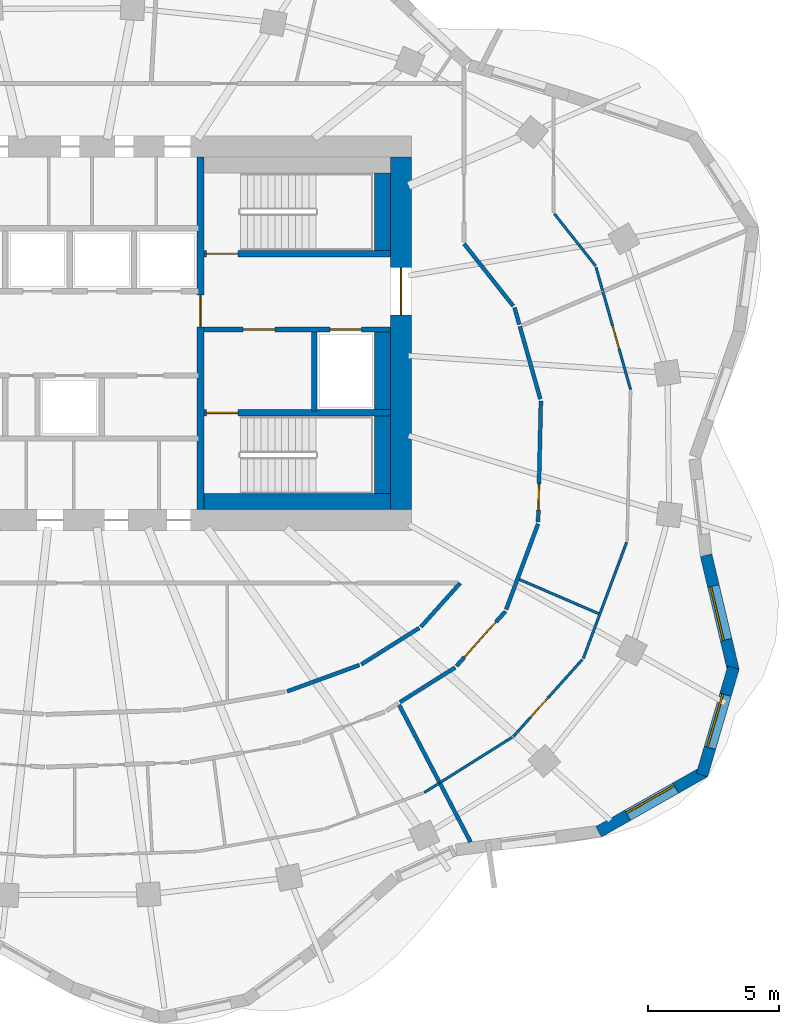
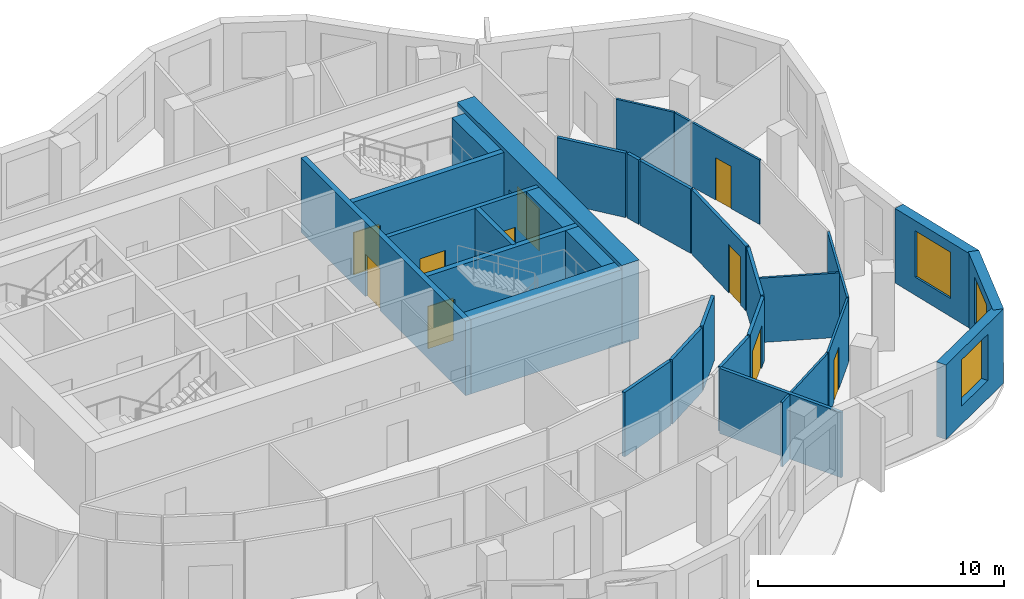
# One storey, part 6 of 9: 32 walls, 10 doors, 3 windows, 13 openings.
"""IFC4 building model written with IfcOpenShell, lengths in metres."""

from ifc_helpers import new_model, si_unit, direction, frame, frame_2d, origin, place, context, subcontext, project, spatial, rectangle, extrude, material, layer, layer_set, type_object, element, fill, save


model = new_model("IFC4")

# Units and contexts
model_context = context("Model", 3, precision=1e-05, world=origin(), true_north=direction((0.0, 1.0)))
body_context = subcontext(model_context, "Body", "Model", "MODEL_VIEW")
ifc_project = project(units=[si_unit("LENGTHUNIT", "METRE"), si_unit("AREAUNIT", "SQUARE_METRE"), si_unit("VOLUMEUNIT", "CUBIC_METRE"), si_unit("PLANEANGLEUNIT", "RADIAN"), si_unit("MASSUNIT", "GRAM", prefix="KILO")], contexts=[model_context])

# Site, building, storey
site_placement = place(None, origin())
site = spatial("IfcSite", under=ifc_project, at=site_placement, CompositionType="ELEMENT")
building_placement = place(site_placement, origin())
building = spatial("IfcBuilding", under=site, at=building_placement, Name="Rubra Terraces Tower", CompositionType="ELEMENT")
storey_placement = place(building_placement, frame((0.0, 0.0, 284.39990234375)))
storey = spatial("IfcBuildingStorey", under=building, at=storey_placement, Name="L70", CompositionType="ELEMENT", Elevation=284.39990234375)

# Wall, opening, window
ifc_material_1 = material(Name="Brick masonry red-brown", Category="masonry")
ifc_layer_1 = layer(ifc_material_1, 0.449951171875)
ifc_layer_set_1 = layer_set([ifc_layer_1], Name="Brick masonry red-brown")
wall_type_1 = type_object("IfcWallType", Name="Brick facade wall 450", PredefinedType="SOLIDWALL", material=ifc_layer_set_1)
wall_1_placement = place(storey_placement, frame((20.115478515625, -14.45458984375, 0.0), z_axis=(0.0, 0.0, 1.0), x_axis=(0.869822679286, 0.493364476427, 0.0)))
wall_1 = element("IfcWall", 1, at=wall_1_placement, inside=storey, type_object=wall_type_1, Name="Facade wall L70 bay 37", PredefinedType="SOLIDWALL", context=body_context, shape_type="SweptSolid", body=[
    extrude(rectangle(XDim=4.63818359375, YDim=0.449951171875, at=frame_2d((2.319091796875, 0.0))), origin(), (0.0, 0.0, 1.0), 3.7001953125),
])
opening_1_placement = place(wall_1_placement, frame((1.26904296875, 0.0, 0.89990234375)))
opening_1 = element("IfcOpeningElement", 2, at=opening_1_placement, cuts=wall_1, Name="Opening W1B", PredefinedType="OPENING", context=body_context, shape_type="SweptSolid", body=[
    extrude(rectangle(XDim=2.10009765625, YDim=2.300048828125, at=frame_2d((1.050048828125, 1.14990234375))), frame((0.0, 0.23486328125, 0.0), z_axis=(0.0, -1.0, 0.0), x_axis=(1.0, 0.0, 0.0)), (0.0, 0.0, 1.0), 0.469970703125),
])
ifc_material_2 = material(Name="Clear glass in aluminium frame", Category="aluminium")
window_type = type_object("IfcWindowType", Name="Fixed deep-set window tall storey 2100 x 2300", PartitioningType="SINGLE_PANEL", PredefinedType="WINDOW", material=ifc_material_2)
window_1_placement = place(opening_1_placement, origin())
window_1 = element("IfcWindow", 3, at=window_1_placement, inside=storey, type_object=window_type, Name="Window L70 bay 37", OverallHeight=2.300048828125, OverallWidth=2.10009765625, PartitioningType="SINGLE_PANEL", PredefinedType="WINDOW", context=body_context, shape_type="SweptSolid", body=[
    extrude(rectangle(XDim=2.10009765625, YDim=2.300048828125, at=frame_2d((1.050048828125, 1.14990234375))), frame((0.0, 0.135009765625, 0.0), z_axis=(0.0, -1.0, 0.0), x_axis=(1.0, 0.0, 0.0)), (0.0, 0.0, 1.0), 0.06005859375),
])
fill(opening_1, window_1)

wall_2_placement = place(storey_placement, frame((24.045166015625, -12.298583984375, 0.0), z_axis=(0.0, 0.0, 1.0), x_axis=(0.281381418228, 0.95959600743, 0.0)))
wall_2 = element("IfcWall", 4, at=wall_2_placement, inside=storey, type_object=wall_type_1, Name="Facade wall L70 bay 38", PredefinedType="SOLIDWALL", context=body_context, shape_type="SweptSolid", body=[
    extrude(rectangle(XDim=4.260986328125, YDim=0.449951171875, at=frame_2d((2.13037109375, 0.0))), origin(), (0.0, 0.0, 1.0), 3.7001953125),
])
opening_2_placement = place(wall_2_placement, frame((1.08056640625, 0.0, 0.89990234375)))
opening_2 = element("IfcOpeningElement", 5, at=opening_2_placement, cuts=wall_2, Name="Opening W1B", PredefinedType="OPENING", context=body_context, shape_type="SweptSolid", body=[
    extrude(rectangle(XDim=2.10009765625, YDim=2.300048828125, at=frame_2d((1.050048828125, 1.14990234375))), frame((0.0, 0.23486328125, 0.0), z_axis=(0.0, -1.0, 0.0), x_axis=(1.0, 0.0, 0.0)), (0.0, 0.0, 1.0), 0.469970703125),
])
window_2_placement = place(opening_2_placement, origin())
window_2 = element("IfcWindow", 6, at=window_2_placement, inside=storey, type_object=window_type, Name="Window L70 bay 38", OverallHeight=2.300048828125, OverallWidth=2.10009765625, PartitioningType="SINGLE_PANEL", PredefinedType="WINDOW", context=body_context, shape_type="SweptSolid", body=[
    extrude(rectangle(XDim=2.10009765625, YDim=2.300048828125, at=frame_2d((1.050048828125, 1.14990234375))), frame((0.0, 0.135009765625, 0.0), z_axis=(0.0, -1.0, 0.0), x_axis=(1.0, 0.0, 0.0)), (0.0, 0.0, 1.0), 0.06005859375),
])
fill(opening_2, window_2)

wall_3_placement = place(storey_placement, frame((25.23974609375, -8.3193359375, 0.0), z_axis=(0.0, 0.0, 1.0), x_axis=(-0.230037604827, 0.973181740666, 0.0)))
wall_3 = element("IfcWall", 7, at=wall_3_placement, inside=storey, type_object=wall_type_1, Name="Facade wall L70 bay 39", PredefinedType="SOLIDWALL", context=body_context, shape_type="SweptSolid", body=[
    extrude(rectangle(XDim=4.497802734375, YDim=0.449951171875, at=frame_2d((2.2490234375, 0.0))), origin(), (0.0, 0.0, 1.0), 3.7001953125),
])
opening_3_placement = place(wall_3_placement, frame((1.198974609375, 0.0, 0.89990234375)))
opening_3 = element("IfcOpeningElement", 8, at=opening_3_placement, cuts=wall_3, Name="Opening W1B", PredefinedType="OPENING", context=body_context, shape_type="SweptSolid", body=[
    extrude(rectangle(XDim=2.10009765625, YDim=2.300048828125, at=frame_2d((1.050048828125, 1.14990234375))), frame((0.0, 0.23486328125, 0.0), z_axis=(0.0, -1.0, 0.0), x_axis=(1.0, 0.0, 0.0)), (0.0, 0.0, 1.0), 0.469970703125),
])
window_3_placement = place(opening_3_placement, origin())
window_3 = element("IfcWindow", 9, at=window_3_placement, inside=storey, type_object=window_type, Name="Window L70 bay 39", OverallHeight=2.300048828125, OverallWidth=2.10009765625, PartitioningType="SINGLE_PANEL", PredefinedType="WINDOW", context=body_context, shape_type="SweptSolid", body=[
    extrude(rectangle(XDim=2.10009765625, YDim=2.300048828125, at=frame_2d((1.050048828125, 1.14990234375))), frame((0.0, 0.135009765625, 0.0), z_axis=(0.0, -1.0, 0.0), x_axis=(1.0, 0.0, 0.0)), (0.0, 0.0, 1.0), 0.06005859375),
])
fill(opening_3, window_3)

# Wall, opening, door
ifc_material_3 = material(Name="Concrete C50", Category="concrete")
ifc_layer_2 = layer(ifc_material_3, 0.800048828125)
ifc_layer_set_2 = layer_set([ifc_layer_2], Name="Concrete C50")
wall_type_2 = type_object("IfcWallType", Name="CORE WALL 800 C50", PredefinedType="SHEAR", material=ifc_layer_set_2)
wall_4_placement = place(storey_placement, frame((12.60009765625, -2.199951171875, 0.0), z_axis=(0.0, 0.0, 1.0), x_axis=(0.0, 1.0, 0.0)))
wall_4 = element("IfcWall", 10, at=wall_4_placement, inside=storey, type_object=wall_type_2, Name="CORE WALL E L70", PredefinedType="SHEAR", context=body_context, shape_type="SweptSolid", body=[
    extrude(rectangle(XDim=13.39990234375, YDim=0.800048828125, at=frame_2d((6.699951171875, 0.0))), origin(), (0.0, 0.0, 1.0), 3.900146484375),
])
opening_4_placement = place(wall_4_placement, frame((7.39990234375, 0.0, 0.0)))
opening_4 = element("IfcOpeningElement", 11, at=opening_4_placement, cuts=wall_4, Name="Opening L70.C02", PredefinedType="OPENING", context=body_context, shape_type="SweptSolid", body=[
    extrude(rectangle(XDim=1.800048828125, YDim=2.10009765625, at=frame_2d((0.89990234375, 1.050048828125))), frame((0.0, 0.409912109375, 0.0), z_axis=(0.0, -1.0, 0.0), x_axis=(1.0, 0.0, 0.0)), (0.0, 0.0, 1.0), 0.820068359375),
])
ifc_material_4 = material(Name="Painted steel", Category="steel")
door_type_1 = type_object("IfcDoorType", Name="Fire door 1800x2100 double", OperationType="NOTDEFINED", PredefinedType="DOOR", material=ifc_material_4)
door_1_placement = place(opening_4_placement, origin())
door_1 = element("IfcDoor", 12, at=door_1_placement, inside=storey, type_object=door_type_1, Name="Core entrance door FF2", OperationType="DOUBLE_DOOR_SINGLE_SWING", OverallHeight=2.10009765625, OverallWidth=1.800048828125, PredefinedType="DOOR", context=body_context, shape_type="SweptSolid", body=[
    extrude(rectangle(XDim=1.800048828125, YDim=2.10009765625, at=frame_2d((0.89990234375, 1.050048828125))), frame((0.0, 0.02490234375, 0.0), z_axis=(0.0, -1.0, 0.0), x_axis=(1.0, 0.0, 0.0)), (0.0, 0.0, 1.0), 0.050048828125),
])
fill(opening_4, door_1)

# Wall
ifc_material_5 = material(Name="Plasterboard on steel stud, mineral wool infill", Category="steel")
ifc_layer_3 = layer(ifc_material_5, 0.14990234375)
ifc_layer_set_3 = layer_set([ifc_layer_3], Name="Plasterboard on steel stud, mineral wool infill")
wall_type_3 = type_object("IfcWallType", Name="CORRIDOR PARTITION 150", PredefinedType="PARTITIONING", material=ifc_layer_set_3)
wall_5_placement = place(storey_placement, frame((12.559814453125, -9.528564453125, 0.0), z_axis=(0.0, 0.0, 1.0), x_axis=(0.846402081662, 0.53254437952, 0.0)))
element("IfcWall", 13, at=wall_5_placement, inside=storey, type_object=wall_type_3, Name="PARTITION", PredefinedType="PARTITIONING", context=body_context, shape_type="SweptSolid", body=[
    extrude(rectangle(XDim=2.480712890625, YDim=0.14990234375, at=frame_2d((1.240234375, 0.0))), origin(), (0.0, 0.0, 1.0), 3.197998046875),
])

# Wall, opening, door
wall_6_placement = place(storey_placement, frame((14.70947265625, -8.151611328125, 0.0), z_axis=(0.0, 0.0, 1.0), x_axis=(0.667275630306, 0.744810870758, 0.0)))
wall_6 = element("IfcWall", 14, at=wall_6_placement, inside=storey, type_object=wall_type_3, Name="PARTITION", PredefinedType="PARTITIONING", context=body_context, shape_type="SweptSolid", body=[
    extrude(rectangle(XDim=2.789794921875, YDim=0.14990234375, at=frame_2d((1.39501953125, 0.0))), origin(), (0.0, 0.0, 1.0), 3.197998046875),
])
opening_5_placement = place(wall_6_placement, frame((0.449951171875, 0.0, 0.0)))
opening_5 = element("IfcOpeningElement", 15, at=opening_5_placement, cuts=wall_6, Name="Opening 70-107", PredefinedType="OPENING", context=body_context, shape_type="SweptSolid", body=[
    extrude(rectangle(XDim=1.800048828125, YDim=2.10009765625, at=frame_2d((0.89990234375, 1.050048828125))), frame((0.0, 0.0849609375, 0.0), z_axis=(0.0, -1.0, 0.0), x_axis=(1.0, 0.0, 0.0)), (0.0, 0.0, 1.0), 0.169921875),
])
ifc_material_6 = material(Name="Painted timber door leaf, double", Category="wood")
door_type_2 = type_object("IfcDoorType", Name="ROOM DOUBLE DOOR 1800 X 2100", OperationType="DOUBLE_DOOR_SINGLE_SWING", PredefinedType="DOOR", material=ifc_material_6)
door_2_placement = place(opening_5_placement, origin())
door_2 = element("IfcDoor", 16, at=door_2_placement, inside=storey, type_object=door_type_2, Name="DOOR 70-107", OperationType="DOUBLE_DOOR_SINGLE_SWING", OverallHeight=2.10009765625, OverallWidth=1.800048828125, PredefinedType="DOOR", context=body_context, shape_type="SweptSolid", body=[
    extrude(rectangle(XDim=1.800048828125, YDim=2.10009765625, at=frame_2d((0.89990234375, 1.050048828125))), frame((0.0, 0.02490234375, 0.0), z_axis=(0.0, -1.0, 0.0), x_axis=(1.0, 0.0, 0.0)), (0.0, 0.0, 1.0), 0.050048828125),
])
fill(opening_5, door_2)

# Wall
wall_7_placement = place(storey_placement, frame((16.597412109375, -6.00341796875, 0.0), z_axis=(0.0, 0.0, 1.0), x_axis=(0.349499455299, 0.936936567088, 0.0)))
element("IfcWall", 17, at=wall_7_placement, inside=storey, type_object=wall_type_3, Name="PARTITION", PredefinedType="PARTITIONING", context=body_context, shape_type="SweptSolid", body=[
    extrude(rectangle(XDim=3.477294921875, YDim=0.14990234375, at=frame_2d((1.73876953125, 0.0))), origin(), (0.0, 0.0, 1.0), 3.197998046875),
])

# Wall, opening, door
wall_8_placement = place(storey_placement, frame((17.814453125, -2.67041015625, 0.0), z_axis=(0.0, 0.0, 1.0), x_axis=(0.023038539091, 0.999734577634, 0.0)))
wall_8 = element("IfcWall", 18, at=wall_8_placement, inside=storey, type_object=wall_type_3, Name="PARTITION", PredefinedType="PARTITIONING", context=body_context, shape_type="SweptSolid", body=[
    extrude(rectangle(XDim=4.59912109375, YDim=0.14990234375, at=frame_2d((2.299560546875, 0.0))), origin(), (0.0, 0.0, 1.0), 3.197998046875),
])
opening_6_placement = place(wall_8_placement, frame((0.449951171875, 0.0, 0.0)))
opening_6 = element("IfcOpeningElement", 19, at=opening_6_placement, cuts=wall_8, Name="Opening 70-109", PredefinedType="OPENING", context=body_context, shape_type="SweptSolid", body=[
    extrude(rectangle(XDim=1.0, YDim=2.39990234375, at=frame_2d((0.5, 1.199951171875))), frame((0.0, 0.0849609375, 0.0), z_axis=(0.0, -1.0, 0.0), x_axis=(1.0, 0.0, 0.0)), (0.0, 0.0, 1.0), 0.169921875),
])
ifc_material_7 = material(Name="Glazed aluminium meeting door leaf", Category="aluminium")
door_type_3 = type_object("IfcDoorType", Name="MEETING ROOM GLAZED DOOR 1000 X 2400", OperationType="SINGLE_SWING_LEFT", PredefinedType="DOOR", material=ifc_material_7)
door_3_placement = place(opening_6_placement, origin())
door_3 = element("IfcDoor", 20, at=door_3_placement, inside=storey, type_object=door_type_3, Name="DOOR 70-109", OperationType="SINGLE_SWING_RIGHT", OverallHeight=2.39990234375, OverallWidth=1.0, PredefinedType="DOOR", context=body_context, shape_type="SweptSolid", body=[
    extrude(rectangle(XDim=1.0, YDim=2.39990234375, at=frame_2d((0.5, 1.199951171875))), frame((0.0, 0.02490234375, 0.0), z_axis=(0.0, -1.0, 0.0), x_axis=(1.0, 0.0, 0.0)), (0.0, 0.0, 1.0), 0.050048828125),
])
fill(opening_6, door_3)

# Walls
wall_9_placement = place(storey_placement, frame((17.89990234375, 1.999755859375, 0.0), z_axis=(0.0, 0.0, 1.0), x_axis=(-0.271980959701, 0.962302633042, 0.0)))
element("IfcWall", 21, at=wall_9_placement, inside=storey, type_object=wall_type_3, Name="PARTITION", PredefinedType="PARTITIONING", context=body_context, shape_type="SweptSolid", body=[
    extrude(rectangle(XDim=2.87255859375, YDim=0.14990234375, at=frame_2d((1.436279296875, 0.0))), origin(), (0.0, 0.0, 1.0), 3.197998046875),
])
wall_10_placement = place(storey_placement, frame((17.098388671875, 4.836181640625, 0.0), z_axis=(0.0, 0.0, 1.0), x_axis=(-0.271971703561, 0.962305249109, 0.0)))
element("IfcWall", 22, at=wall_10_placement, inside=storey, type_object=wall_type_3, Name="PARTITION", PredefinedType="PARTITIONING", context=body_context, shape_type="SweptSolid", body=[
    extrude(rectangle(XDim=0.668701171875, YDim=0.14990234375, at=frame_2d((0.33447265625, 0.0))), origin(), (0.0, 0.0, 1.0), 3.197998046875),
])
wall_11_placement = place(storey_placement, frame((16.869873046875, 5.53857421875, 0.0), z_axis=(0.0, 0.0, 1.0), x_axis=(-0.620093074114, 0.784528252796, 0.0)))
element("IfcWall", 23, at=wall_11_placement, inside=storey, type_object=wall_type_3, Name="PARTITION", PredefinedType="PARTITIONING", context=body_context, shape_type="SweptSolid", body=[
    extrude(rectangle(XDim=3.015380859375, YDim=0.14990234375, at=frame_2d((1.5078125, 0.0))), origin(), (0.0, 0.0, 1.0), 3.197998046875),
])
wall_12_placement = place(storey_placement, frame((14.847900390625, -5.0, 0.0), z_axis=(0.0, 0.0, 1.0), x_axis=(-0.667363249373, -0.744732363595, 0.0)))
element("IfcWall", 24, at=wall_12_placement, inside=storey, type_object=wall_type_3, Name="PARTITION", PredefinedType="PARTITIONING", context=body_context, shape_type="SweptSolid", body=[
    extrude(rectangle(XDim=2.234130859375, YDim=0.14990234375, at=frame_2d((1.1171875, 0.0))), origin(), (0.0, 0.0, 1.0), 3.197998046875),
])
wall_13_placement = place(storey_placement, frame((13.29345703125, -6.703857421875, 0.0), z_axis=(0.0, 0.0, 1.0), x_axis=(-0.84641299998, -0.532527026041, 0.0)))
element("IfcWall", 25, at=wall_13_placement, inside=storey, type_object=wall_type_3, Name="PARTITION", PredefinedType="PARTITIONING", context=body_context, shape_type="SweptSolid", body=[
    extrude(rectangle(XDim=2.601806640625, YDim=0.14990234375, at=frame_2d((1.30078125, 0.0))), origin(), (0.0, 0.0, 1.0), 3.197998046875),
])
wall_14_placement = place(storey_placement, frame((11.02099609375, -8.114990234375, 0.0), z_axis=(0.0, 0.0, 1.0), x_axis=(-0.939683845313, -0.342044252778, 0.0)))
element("IfcWall", 26, at=wall_14_placement, inside=storey, type_object=wall_type_3, Name="PARTITION", PredefinedType="PARTITIONING", context=body_context, shape_type="SweptSolid", body=[
    extrude(rectangle(XDim=2.9287109375, YDim=0.14990234375, at=frame_2d((1.46435546875, 0.0))), origin(), (0.0, 0.0, 1.0), 3.197998046875),
])
ifc_material_8 = material(Name="Concrete C40", Category="concrete")
ifc_layer_4 = layer(ifc_material_8, 0.60009765625)
ifc_layer_set_4 = layer_set([ifc_layer_4], Name="Concrete C40")
wall_type_4 = type_object("IfcWallType", Name="Core lining wall 600 concrete", PredefinedType="SOLIDWALL", material=ifc_layer_set_4)
wall_15_placement = place(storey_placement, frame((11.89990234375, 10.60009765625, 0.0), z_axis=(0.0, 0.0, 1.0), x_axis=(0.0, -1.0, 0.0)))
element("IfcWall", 27, at=wall_15_placement, inside=storey, type_object=wall_type_4, Name="CORE LINING WALL L70", PredefinedType="SOLIDWALL", context=body_context, shape_type="SweptSolid", body=[
    extrude(rectangle(XDim=2.9501953125, YDim=0.60009765625, at=frame_2d((1.47509765625, 0.0))), origin(), (0.0, 0.0, 1.0), 3.7001953125),
])
wall_16_placement = place(storey_placement, frame((11.89990234375, 4.550048828125, 0.0), z_axis=(0.0, 0.0, 1.0), x_axis=(0.0, -1.0, 0.0)))
element("IfcWall", 28, at=wall_16_placement, inside=storey, type_object=wall_type_4, Name="CORE LINING WALL L70", PredefinedType="SOLIDWALL", context=body_context, shape_type="SweptSolid", body=[
    extrude(rectangle(XDim=3.0, YDim=0.60009765625, at=frame_2d((1.5, 0.0))), origin(), (0.0, 0.0, 1.0), 3.7001953125),
])
wall_17_placement = place(storey_placement, frame((11.89990234375, 1.35009765625, 0.0), z_axis=(0.0, 0.0, 1.0), x_axis=(0.0, -1.0, 0.0)))
element("IfcWall", 29, at=wall_17_placement, inside=storey, type_object=wall_type_4, Name="CORE LINING WALL L70", PredefinedType="SOLIDWALL", context=body_context, shape_type="SweptSolid", body=[
    extrude(rectangle(XDim=2.9501953125, YDim=0.60009765625, at=frame_2d((1.47509765625, 0.0))), origin(), (0.0, 0.0, 1.0), 3.7001953125),
])
wall_18_placement = place(storey_placement, frame((12.199951171875, -1.89990234375, 0.0), z_axis=(0.0, 0.0, 1.0), x_axis=(-1.0, 0.0, 0.0)))
element("IfcWall", 30, at=wall_18_placement, inside=storey, type_object=wall_type_4, Name="CORE LINING WALL L70", PredefinedType="SOLIDWALL", context=body_context, shape_type="SweptSolid", body=[
    extrude(rectangle(XDim=7.099853515625, YDim=0.60009765625, at=frame_2d((3.5498046875, 0.0))), origin(), (0.0, 0.0, 1.0), 3.7001953125),
])

# Wall, openings, doors
ifc_material_9 = material(Name="Concrete C30", Category="concrete")
ifc_layer_5 = layer(ifc_material_9, 0.199951171875)
ifc_layer_set_5 = layer_set([ifc_layer_5], Name="Concrete C30")
wall_type_5 = type_object("IfcWallType", Name="Core wall 200 concrete", PredefinedType="SOLIDWALL", material=ifc_layer_set_5)
wall_19_placement = place(storey_placement, frame((12.199951171875, 4.64990234375, 0.0), z_axis=(0.0, 0.0, 1.0), x_axis=(-1.0, 0.0, 0.0)))
wall_19 = element("IfcWall", 31, at=wall_19_placement, inside=storey, type_object=wall_type_5, Name="STAIR WALL L70", PredefinedType="SOLIDWALL", context=body_context, shape_type="SweptSolid", body=[
    extrude(rectangle(XDim=7.099853515625, YDim=0.199951171875, at=frame_2d((3.5498046875, 0.0))), origin(), (0.0, 0.0, 1.0), 3.7001953125),
])
opening_7_placement = place(wall_19_placement, frame((4.39990234375, 0.0, 0.0)))
opening_7 = element("IfcOpeningElement", 32, at=opening_7_placement, cuts=wall_19, Name="Opening L70.C06", PredefinedType="OPENING", context=body_context, shape_type="SweptSolid", body=[
    extrude(rectangle(XDim=1.199951171875, YDim=2.10009765625, at=frame_2d((0.60009765625, 1.050048828125))), frame((0.0, 0.10986328125, 0.0), z_axis=(0.0, -1.0, 0.0), x_axis=(1.0, 0.0, 0.0)), (0.0, 0.0, 1.0), 0.219970703125),
])
opening_8_placement = place(wall_19_placement, frame((1.10009765625, 0.0, 0.0)))
opening_8 = element("IfcOpeningElement", 33, at=opening_8_placement, cuts=wall_19, Name="Opening L70.C12", PredefinedType="OPENING", context=body_context, shape_type="SweptSolid", body=[
    extrude(rectangle(XDim=1.199951171875, YDim=2.10009765625, at=frame_2d((0.60009765625, 1.050048828125))), frame((0.0, 0.10986328125, 0.0), z_axis=(0.0, -1.0, 0.0), x_axis=(1.0, 0.0, 0.0)), (0.0, 0.0, 1.0), 0.219970703125),
])
door_type_4 = type_object("IfcDoorType", Name="Fire door 1200x2100 single", OperationType="NOTDEFINED", PredefinedType="DOOR", material=ifc_material_4)
door_4_placement = place(opening_7_placement, origin())
door_4 = element("IfcDoor", 34, at=door_4_placement, inside=storey, type_object=door_type_4, Name="Stair vestibule door S4", OperationType="SINGLE_SWING_RIGHT", OverallHeight=2.10009765625, OverallWidth=1.199951171875, PredefinedType="DOOR", context=body_context, shape_type="SweptSolid", body=[
    extrude(rectangle(XDim=1.199951171875, YDim=2.10009765625, at=frame_2d((0.60009765625, 1.050048828125))), frame((0.0, 0.02490234375, 0.0), z_axis=(0.0, -1.0, 0.0), x_axis=(1.0, 0.0, 0.0)), (0.0, 0.0, 1.0), 0.050048828125),
])
fill(opening_7, door_4)
ifc_material_10 = material(Name="Stainless steel", Category="steel")
door_type_5 = type_object("IfcDoorType", Name="Lift landing door 1200x2100", OperationType="NOTDEFINED", PredefinedType="DOOR", material=ifc_material_10)
door_5_placement = place(opening_8_placement, origin())
door_5 = element("IfcDoor", 35, at=door_5_placement, inside=storey, type_object=door_type_5, Name="Landing door FF2", OperationType="SLIDING_TO_RIGHT", OverallHeight=2.10009765625, OverallWidth=1.199951171875, PredefinedType="DOOR", context=body_context, shape_type="SweptSolid", body=[
    extrude(rectangle(XDim=1.199951171875, YDim=2.10009765625, at=frame_2d((0.60009765625, 1.050048828125))), frame((0.0, 0.02490234375, 0.0), z_axis=(0.0, -1.0, 0.0), x_axis=(1.0, 0.0, 0.0)), (0.0, 0.0, 1.0), 0.050048828125),
])
fill(opening_8, door_5)

# Walls
wall_20_placement = place(storey_placement, frame((9.300048828125, 4.550048828125, 0.0), z_axis=(0.0, 0.0, 1.0), x_axis=(0.0, -1.0, 0.0)))
element("IfcWall", 36, at=wall_20_placement, inside=storey, type_object=wall_type_5, Name="STAIR WALL L70", PredefinedType="SOLIDWALL", context=body_context, shape_type="SweptSolid", body=[
    extrude(rectangle(XDim=3.0, YDim=0.199951171875, at=frame_2d((1.5, 0.0))), origin(), (0.0, 0.0, 1.0), 3.7001953125),
])
ifc_material_11 = material(Name="Plasterboard on steel stud", Category="steel")
ifc_layer_6 = layer(ifc_material_11, 0.10009765625)
ifc_layer_set_6 = layer_set([ifc_layer_6], Name="Plasterboard on steel stud")
wall_type_6 = type_object("IfcWallType", Name="ROOM PARTITION 100", PredefinedType="PARTITIONING", material=ifc_layer_set_6)
wall_21_placement = place(storey_placement, frame((14.055908203125, -12.604248046875, 0.0), z_axis=(0.0, 0.0, 1.0), x_axis=(-0.846544184051, -0.532318461496, 0.0)))
element("IfcWall", 37, at=wall_21_placement, inside=storey, type_object=wall_type_6, Name="PARTITION", PredefinedType="PARTITIONING", context=body_context, shape_type="SweptSolid", body=[
    extrude(rectangle(XDim=0.6806640625, YDim=0.10009765625, at=frame_2d((0.34033203125, 0.0))), origin(), (0.0, 0.0, 1.0), 3.197998046875),
])

# Wall, opening, door
wall_22_placement = place(storey_placement, frame((20.2802734375, 6.0791015625, 0.0), z_axis=(0.0, 0.0, 1.0), x_axis=(0.271974810721, -0.962304370942, 0.0)))
wall_22 = element("IfcWall", 38, at=wall_22_placement, inside=storey, type_object=wall_type_6, Name="PARTITION", PredefinedType="PARTITIONING", context=body_context, shape_type="SweptSolid", body=[
    extrude(rectangle(XDim=3.864501953125, YDim=0.10009765625, at=frame_2d((1.93212890625, 0.0))), origin(), (0.0, 0.0, 1.0), 3.197998046875),
])
opening_9_placement = place(wall_22_placement, frame((1.360107421875, 0.0, 0.0)))
opening_9 = element("IfcOpeningElement", 39, at=opening_9_placement, cuts=wall_22, Name="Opening 70-110", PredefinedType="OPENING", context=body_context, shape_type="SweptSolid", body=[
    extrude(rectangle(XDim=0.89990234375, YDim=2.10009765625, at=frame_2d((0.449951171875, 1.050048828125))), frame((0.0, 0.06005859375, 0.0), z_axis=(0.0, -1.0, 0.0), x_axis=(1.0, 0.0, 0.0)), (0.0, 0.0, 1.0), 0.1201171875),
])
ifc_material_12 = material(Name="Painted timber door leaf", Category="wood")
door_type_6 = type_object("IfcDoorType", Name="ROOM DOOR 900 X 2100", OperationType="SINGLE_SWING_LEFT", PredefinedType="DOOR", material=ifc_material_12)
door_6_placement = place(opening_9_placement, origin())
door_6 = element("IfcDoor", 40, at=door_6_placement, inside=storey, type_object=door_type_6, Name="DOOR 70-110", OperationType="SINGLE_SWING_RIGHT", OverallHeight=2.10009765625, OverallWidth=0.89990234375, PredefinedType="DOOR", context=body_context, shape_type="SweptSolid", body=[
    extrude(rectangle(XDim=0.89990234375, YDim=2.10009765625, at=frame_2d((0.449951171875, 1.050048828125))), frame((0.0, 0.02490234375, 0.0), z_axis=(0.0, -1.0, 0.0), x_axis=(1.0, 0.0, 0.0)), (0.0, 0.0, 1.0), 0.050048828125),
])
fill(opening_9, door_6)

# Wall
wall_23_placement = place(storey_placement, frame((21.180908203125, -3.443359375, 0.0), z_axis=(0.0, 0.0, 1.0), x_axis=(-0.349438657616, -0.936959243811, 0.0)))
element("IfcWall", 41, at=wall_23_placement, inside=storey, type_object=wall_type_6, Name="PARTITION", PredefinedType="PARTITIONING", context=body_context, shape_type="SweptSolid", body=[
    extrude(rectangle(XDim=4.718017578125, YDim=0.10009765625, at=frame_2d((2.35888671875, 0.0))), origin(), (0.0, 0.0, 1.0), 3.197998046875),
])

# Wall, opening, door
wall_24_placement = place(storey_placement, frame((19.498779296875, -7.9013671875, 0.0), z_axis=(0.0, 0.0, 1.0), x_axis=(-0.667320762971, -0.744770433964, 0.0)))
wall_24 = element("IfcWall", 42, at=wall_24_placement, inside=storey, type_object=wall_type_6, Name="PARTITION", PredefinedType="PARTITIONING", context=body_context, shape_type="SweptSolid", body=[
    extrude(rectangle(XDim=3.93408203125, YDim=0.10009765625, at=frame_2d((1.967041015625, 0.0))), origin(), (0.0, 0.0, 1.0), 3.197998046875),
])
opening_10_placement = place(wall_24_placement, frame((1.949951171875, 0.0, 0.0)))
opening_10 = element("IfcOpeningElement", 43, at=opening_10_placement, cuts=wall_24, Name="Opening 70-108", PredefinedType="OPENING", context=body_context, shape_type="SweptSolid", body=[
    extrude(rectangle(XDim=1.0, YDim=2.10009765625, at=frame_2d((0.5, 1.050048828125))), frame((0.0, 0.06005859375, 0.0), z_axis=(0.0, -1.0, 0.0), x_axis=(1.0, 0.0, 0.0)), (0.0, 0.0, 1.0), 0.1201171875),
])
door_type_7 = type_object("IfcDoorType", Name="ROOM DOOR 1000 X 2100", OperationType="SINGLE_SWING_LEFT", PredefinedType="DOOR", material=ifc_material_12)
door_7_placement = place(opening_10_placement, origin())
door_7 = element("IfcDoor", 44, at=door_7_placement, inside=storey, type_object=door_type_7, Name="DOOR 70-108", OperationType="SINGLE_SWING_RIGHT", OverallHeight=2.10009765625, OverallWidth=1.0, PredefinedType="DOOR", context=body_context, shape_type="SweptSolid", body=[
    extrude(rectangle(XDim=1.0, YDim=2.10009765625, at=frame_2d((0.5, 1.050048828125))), frame((0.0, 0.02490234375, 0.0), z_axis=(0.0, -1.0, 0.0), x_axis=(1.0, 0.0, 0.0)), (0.0, 0.0, 1.0), 0.050048828125),
])
fill(opening_10, door_7)

# Walls
wall_25_placement = place(storey_placement, frame((16.831298828125, -10.85791015625, 0.0), z_axis=(0.0, 0.0, 1.0), x_axis=(-0.846427876971, -0.532503379413, 0.0)))
element("IfcWall", 45, at=wall_25_placement, inside=storey, type_object=wall_type_6, Name="PARTITION", PredefinedType="PARTITIONING", context=body_context, shape_type="SweptSolid", body=[
    extrude(rectangle(XDim=3.2392578125, YDim=0.10009765625, at=frame_2d((1.61962890625, 0.0))), origin(), (0.0, 0.0, 1.0), 3.197998046875),
])
wall_26_placement = place(storey_placement, frame((17.103759765625, -4.860107421875, 0.0), z_axis=(0.0, 0.0, 1.0), x_axis=(0.918346015078, -0.395778469084, 0.0)))
element("IfcWall", 46, at=wall_26_placement, inside=storey, type_object=wall_type_6, Name="PARTITION", PredefinedType="PARTITIONING", context=body_context, shape_type="SweptSolid", body=[
    extrude(rectangle(XDim=3.279296875, YDim=0.10009765625, at=frame_2d((1.6396484375, 0.0))), origin(), (0.0, 0.0, 1.0), 3.197998046875),
])
wall_27_placement = place(storey_placement, frame((18.430908203125, 9.04638671875, 0.0), z_axis=(0.0, 0.0, 1.0), x_axis=(0.620118511479, -0.78450814637, 0.0)))
element("IfcWall", 47, at=wall_27_placement, inside=storey, type_object=wall_type_6, Name="PARTITION", PredefinedType="PARTITIONING", context=body_context, shape_type="SweptSolid", body=[
    extrude(rectangle(XDim=2.53662109375, YDim=0.10009765625, at=frame_2d((1.268310546875, 0.0))), origin(), (0.0, 0.0, 1.0), 3.197998046875),
])
wall_28_placement = place(storey_placement, frame((20.017578125, 7.00830078125, 0.0), z_axis=(0.0, 0.0, 1.0), x_axis=(0.272036681058, -0.962286882462, 0.0)))
element("IfcWall", 48, at=wall_28_placement, inside=storey, type_object=wall_type_6, Name="PARTITION", PredefinedType="PARTITIONING", context=body_context, shape_type="SweptSolid", body=[
    extrude(rectangle(XDim=0.92529296875, YDim=0.10009765625, at=frame_2d((0.462646484375, 0.0))), origin(), (0.0, 0.0, 1.0), 3.197998046875),
])
ifc_layer_7 = layer(ifc_material_11, 0.14990234375)
ifc_layer_set_7 = layer_set([ifc_layer_7], Name="Plasterboard on steel stud")
wall_type_7 = type_object("IfcWallType", Name="ROOM PARTITION 150", PredefinedType="PARTITIONING", material=ifc_layer_set_7)
wall_29_placement = place(storey_placement, frame((15.243896484375, -14.841064453125, 0.0), z_axis=(0.0, 0.0, 1.0), x_axis=(-0.462122511499, 0.886816093881, 0.0)))
element("IfcWall", 49, at=wall_29_placement, inside=storey, type_object=wall_type_7, Name="PARTITION", PredefinedType="PARTITIONING", context=body_context, shape_type="SweptSolid", body=[
    extrude(rectangle(XDim=5.87060546875, YDim=0.14990234375, at=frame_2d((2.935302734375, 0.0))), origin(), (0.0, 0.0, 1.0), 3.234130859375),
])

# Wall, opening, door
ifc_layer_8 = layer(ifc_material_8, 0.25)
ifc_layer_set_8 = layer_set([ifc_layer_8], Name="Concrete C40")
wall_type_8 = type_object("IfcWallType", Name="Stair enclosure wall 250 concrete", PredefinedType="SOLIDWALL", material=ifc_layer_set_8)
wall_30_placement = place(storey_placement, frame((12.199951171875, 7.52490234375, 0.0), z_axis=(0.0, 0.0, 1.0), x_axis=(-1.0, 0.0, 0.0)))
wall_30 = element("IfcWall", 50, at=wall_30_placement, inside=storey, type_object=wall_type_8, Name="STAIR WALL L70", PredefinedType="SOLIDWALL", context=body_context, shape_type="SweptSolid", body=[
    extrude(rectangle(XDim=7.099853515625, YDim=0.25, at=frame_2d((3.5498046875, 0.0))), origin(), (0.0, 0.0, 1.0), 3.7001953125),
])
opening_11_placement = place(wall_30_placement, frame((5.800048828125, 0.0, 0.0)))
opening_11 = element("IfcOpeningElement", 51, at=opening_11_placement, cuts=wall_30, Name="Opening L70.C08", PredefinedType="OPENING", context=body_context, shape_type="SweptSolid", body=[
    extrude(rectangle(XDim=1.199951171875, YDim=2.10009765625, at=frame_2d((0.60009765625, 1.050048828125))), frame((0.0, 0.135009765625, 0.0), z_axis=(0.0, -1.0, 0.0), x_axis=(1.0, 0.0, 0.0)), (0.0, 0.0, 1.0), 0.27001953125),
])
door_8_placement = place(opening_11_placement, origin())
door_8 = element("IfcDoor", 52, at=door_8_placement, inside=storey, type_object=door_type_4, Name="Stair door S3", OperationType="SINGLE_SWING_RIGHT", OverallHeight=2.10009765625, OverallWidth=1.199951171875, PredefinedType="DOOR", context=body_context, shape_type="SweptSolid", body=[
    extrude(rectangle(XDim=1.199951171875, YDim=2.10009765625, at=frame_2d((0.60009765625, 1.050048828125))), frame((0.0, 0.02490234375, 0.0), z_axis=(0.0, -1.0, 0.0), x_axis=(1.0, 0.0, 0.0)), (0.0, 0.0, 1.0), 0.050048828125),
])
fill(opening_11, door_8)

wall_31_placement = place(storey_placement, frame((12.199951171875, 1.47509765625, 0.0), z_axis=(0.0, 0.0, 1.0), x_axis=(-1.0, 0.0, 0.0)))
wall_31 = element("IfcWall", 53, at=wall_31_placement, inside=storey, type_object=wall_type_8, Name="STAIR WALL L70", PredefinedType="SOLIDWALL", context=body_context, shape_type="SweptSolid", body=[
    extrude(rectangle(XDim=7.099853515625, YDim=0.25, at=frame_2d((3.5498046875, 0.0))), origin(), (0.0, 0.0, 1.0), 3.7001953125),
])
opening_12_placement = place(wall_31_placement, frame((5.800048828125, 0.0, 0.0)))
opening_12 = element("IfcOpeningElement", 54, at=opening_12_placement, cuts=wall_31, Name="Opening L70.C10", PredefinedType="OPENING", context=body_context, shape_type="SweptSolid", body=[
    extrude(rectangle(XDim=1.199951171875, YDim=2.10009765625, at=frame_2d((0.60009765625, 1.050048828125))), frame((0.0, 0.135009765625, 0.0), z_axis=(0.0, -1.0, 0.0), x_axis=(1.0, 0.0, 0.0)), (0.0, 0.0, 1.0), 0.27001953125),
])
door_9_placement = place(opening_12_placement, origin())
door_9 = element("IfcDoor", 55, at=door_9_placement, inside=storey, type_object=door_type_4, Name="Stair door S4", OperationType="SINGLE_SWING_RIGHT", OverallHeight=2.10009765625, OverallWidth=1.199951171875, PredefinedType="DOOR", context=body_context, shape_type="SweptSolid", body=[
    extrude(rectangle(XDim=1.199951171875, YDim=2.10009765625, at=frame_2d((0.60009765625, 1.050048828125))), frame((0.0, 0.02490234375, 0.0), z_axis=(0.0, -1.0, 0.0), x_axis=(1.0, 0.0, 0.0)), (0.0, 0.0, 1.0), 0.050048828125),
])
fill(opening_12, door_9)

wall_32_placement = place(storey_placement, frame((4.97509765625, 11.199951171875, 0.0), z_axis=(0.0, 0.0, 1.0), x_axis=(0.0, -1.0, 0.0)))
wall_32 = element("IfcWall", 56, at=wall_32_placement, inside=storey, type_object=wall_type_8, Name="CORE LOBBY WALL L70", PredefinedType="SOLIDWALL", context=body_context, shape_type="SweptSolid", body=[
    extrude(rectangle(XDim=13.39990234375, YDim=0.25, at=frame_2d((6.699951171875, 0.0))), origin(), (0.0, 0.0, 1.0), 3.7001953125),
])
opening_13_placement = place(wall_32_placement, frame((5.25, 0.0, 0.0)))
opening_13 = element("IfcOpeningElement", 57, at=opening_13_placement, cuts=wall_32, Name="Opening L70.C04", PredefinedType="OPENING", context=body_context, shape_type="SweptSolid", body=[
    extrude(rectangle(XDim=1.199951171875, YDim=2.10009765625, at=frame_2d((0.60009765625, 1.050048828125))), frame((0.0, 0.135009765625, 0.0), z_axis=(0.0, -1.0, 0.0), x_axis=(1.0, 0.0, 0.0)), (0.0, 0.0, 1.0), 0.27001953125),
])
door_10_placement = place(opening_13_placement, origin())
door_10 = element("IfcDoor", 58, at=door_10_placement, inside=storey, type_object=door_type_4, Name="Firefighting lobby door FF2", OperationType="SINGLE_SWING_RIGHT", OverallHeight=2.10009765625, OverallWidth=1.199951171875, PredefinedType="DOOR", context=body_context, shape_type="SweptSolid", body=[
    extrude(rectangle(XDim=1.199951171875, YDim=2.10009765625, at=frame_2d((0.60009765625, 1.050048828125))), frame((0.0, 0.02490234375, 0.0), z_axis=(0.0, -1.0, 0.0), x_axis=(1.0, 0.0, 0.0)), (0.0, 0.0, 1.0), 0.050048828125),
])
fill(opening_13, door_10)

save(model, "model.ifc")
